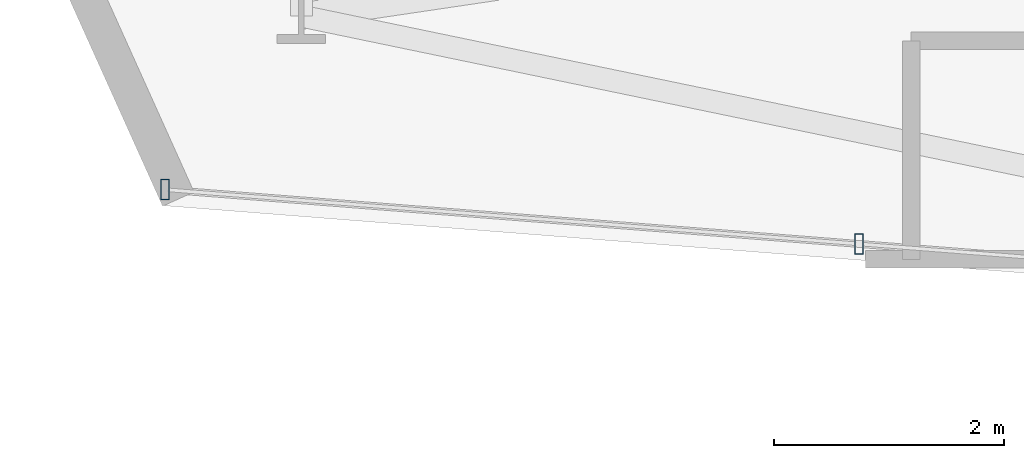
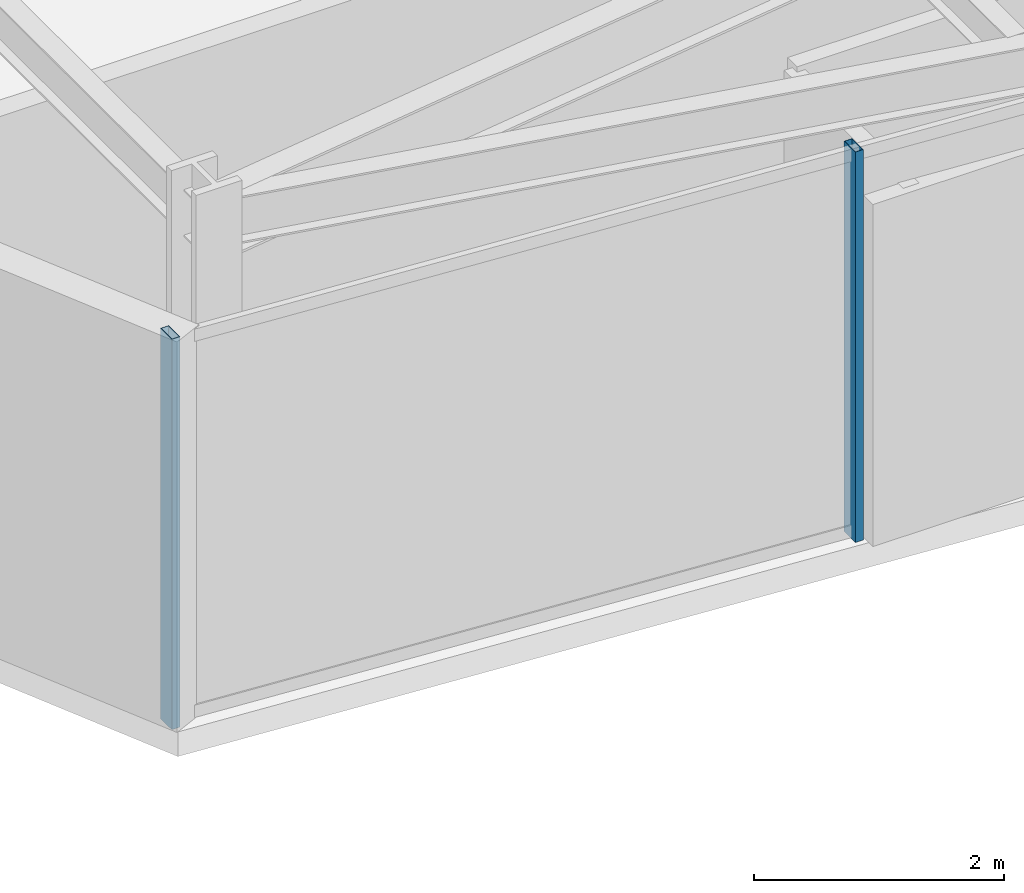
# One storey, part 2 of 30: 2 members, 1 element without a shape of its own.
"""IFC4 building model written with IfcOpenShell, lengths in metres."""

from ifc_helpers import new_model, si_unit, direction, frame, origin, origin_2d, place, context, subcontext, project, spatial, hollow_rectangle, extrude, material, layer, layer_set, material_profile, profile_set, type_object, element, aggregate, save


model = new_model("IFC4")

# Units and contexts
model_context = context("Model", 3, precision=1e-05, world=origin(), true_north=direction((0.0, 1.0)))
body_context = subcontext(model_context, "Body", "Model", "MODEL_VIEW")
ifc_project = project(units=[si_unit("LENGTHUNIT", "METRE"), si_unit("AREAUNIT", "SQUARE_METRE"), si_unit("VOLUMEUNIT", "CUBIC_METRE"), si_unit("PLANEANGLEUNIT", "RADIAN"), si_unit("MASSUNIT", "GRAM", prefix="KILO")], contexts=[model_context])

# Site, building, storey
site_placement = place(None, origin())
site = spatial("IfcSite", under=ifc_project, at=site_placement, CompositionType="ELEMENT")
building_placement = place(site_placement, origin())
building = spatial("IfcBuilding", under=site, at=building_placement, Name="Veymaron Broadcast Tower", CompositionType="ELEMENT")
storey_placement = place(building_placement, frame((0.0, 0.0, 66.14990234375)))
storey = spatial("IfcBuildingStorey", under=building, at=storey_placement, Name="L14", CompositionType="ELEMENT", Elevation=66.14990234375)

# Curtain wall, members
ifc_material_1 = material(Name="Anodised aluminium AA 6063-T6 and laminated low-E dark glass", Category="aluminium")
ifc_layer = layer(ifc_material_1, 0.179931640625)
ifc_layer_set = layer_set([ifc_layer], Name="Anodised aluminium AA 6063-T6 and laminated low-E dark glass")
curtain_wall_type = type_object("IfcCurtainWallType", Name="CW-SYS-02", PredefinedType="NOTDEFINED", material=ifc_layer_set)
curtain_wall_placement = place(storey_placement, origin())
curtain_wall = element("IfcCurtainWall", 1, at=curtain_wall_placement, inside=storey, type_object=curtain_wall_type, Name="L14 dark-glass curtain wall CW-L14-E14-1", PredefinedType="NOTDEFINED")
ifc_material_2 = material(Name="Anodised aluminium AA 6063-T6", Category="aluminium")
ifc_material_profile = material_profile(ifc_material_2, hollow_rectangle(XDim=0.074951171875, YDim=0.179931640625, WallThickness=0.0048828125, at=origin_2d()), Name="AL180X75X5")
ifc_profile_set = profile_set([ifc_material_profile], Name="Anodised aluminium AA 6063-T6")
member_type = type_object("IfcMemberType", Name="CW-MUL-02", PredefinedType="MULLION", material=ifc_profile_set)
member_1_placement = place(storey_placement, frame((7.510986328125, 19.15625, 0.0), z_axis=(0.0, 0.0, 1.0), x_axis=(1.0, 0.0, 0.0)))
member_1 = element("IfcMember", 2, at=member_1_placement, type_object=member_type, Name="CW-L14-E14-1 mullion 0", PredefinedType="MULLION", context=body_context, shape_type="SweptSolid", body=[
    extrude(hollow_rectangle(XDim=0.074951171875, YDim=0.179931640625, WallThickness=0.0048828125, at=origin_2d()), origin(), (0.0, 0.0, 1.0), 3.81005859375),
])
member_2_placement = place(storey_placement, frame((13.546875, 18.683837890625, 0.0), z_axis=(0.0, 0.0, 1.0), x_axis=(1.0, 0.0, 0.0)))
member_2 = element("IfcMember", 3, at=member_2_placement, type_object=member_type, Name="CW-L14-E14-1 mullion 1", PredefinedType="MULLION", context=body_context, shape_type="SweptSolid", body=[
    extrude(hollow_rectangle(XDim=0.074951171875, YDim=0.179931640625, WallThickness=0.0048828125, at=origin_2d()), origin(), (0.0, 0.0, 1.0), 3.81005859375),
])
aggregate(curtain_wall, [member_1, member_2])

save(model, "model.ifc")
